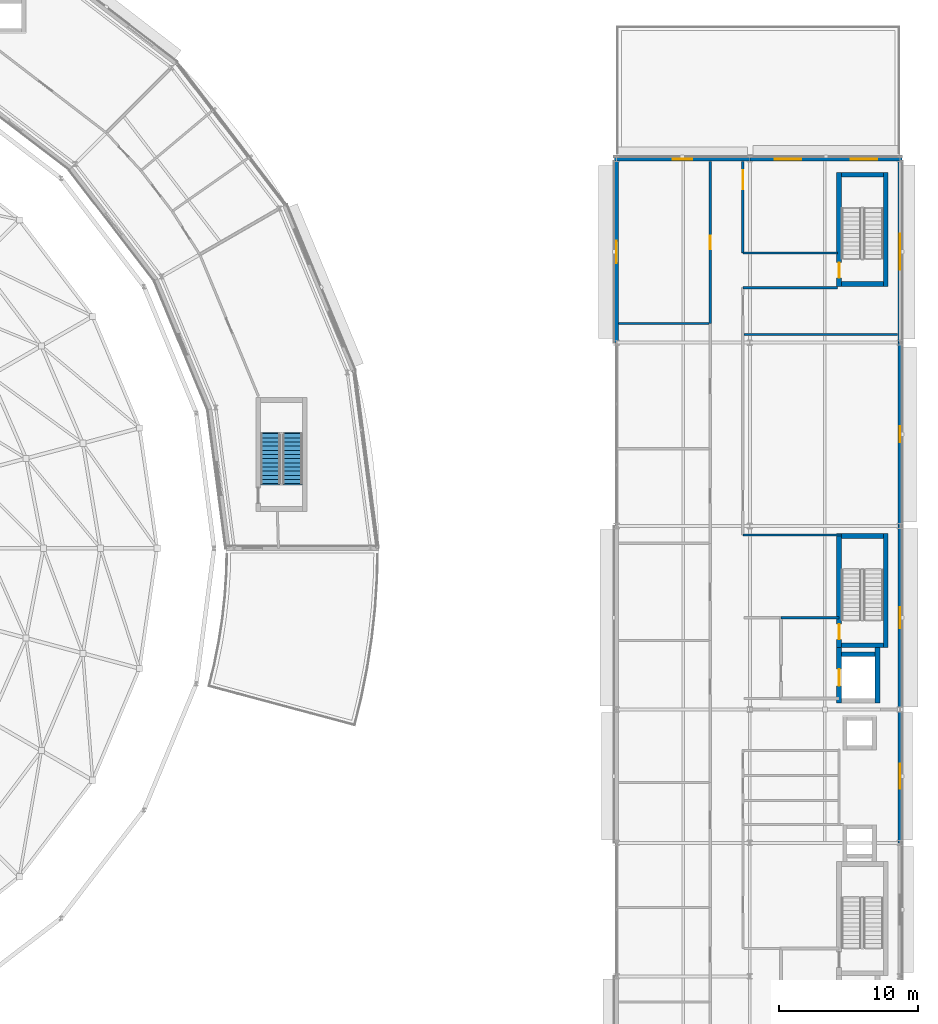
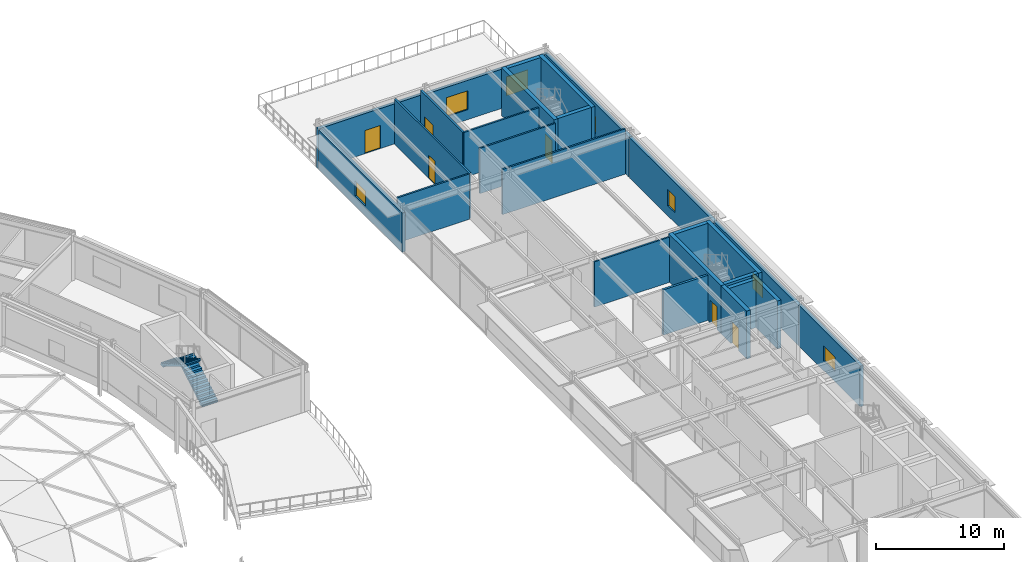
# One storey, part 68 of 89: 26 walls, 7 windows, 6 doors, 2 stair flights, 13 openings, 1 element without a shape of its own.
"""IFC4 building model written with IfcOpenShell, lengths in metres."""

from ifc_helpers import new_model, si_unit, direction, frame, frame_2d, origin, place, context, subcontext, project, spatial, polyline, rectangle, outline, extrude, material, layer, layer_set, type_object, element, fill, aggregate, save


model = new_model("IFC4")

# Units and contexts
model_context = context("Model", 3, precision=1e-05, world=origin(), true_north=direction((0.0, 1.0)))
body_context = subcontext(model_context, "Body", "Model", "MODEL_VIEW")
ifc_project = project(units=[si_unit("LENGTHUNIT", "METRE"), si_unit("AREAUNIT", "SQUARE_METRE"), si_unit("VOLUMEUNIT", "CUBIC_METRE"), si_unit("PLANEANGLEUNIT", "RADIAN"), si_unit("MASSUNIT", "GRAM", prefix="KILO")], contexts=[model_context])

# Site, building, storey
site_placement = place(None, origin())
site = spatial("IfcSite", under=ifc_project, at=site_placement, CompositionType="ELEMENT")
building_placement = place(site_placement, origin())
building = spatial("IfcBuilding", under=site, at=building_placement, Name="Almandine Court Research Institute", CompositionType="ELEMENT")
storey_placement = place(building_placement, frame((0.0, 0.0, 18.89990234375)))
storey = spatial("IfcBuildingStorey", under=building, at=storey_placement, Name="L04", CompositionType="ELEMENT", Elevation=18.89990234375)

# Wall, opening, window
ifc_material_1 = material(Name="Insulated Ochre Terracotta Rainscreen Wall", Category="masonry")
ifc_layer_1 = layer(ifc_material_1, 0.2900390625)
ifc_layer_set_1 = layer_set([ifc_layer_1], Name="Insulated Ochre Terracotta Rainscreen Wall")
wall_type_1 = type_object("IfcWallType", Name="Wall-EXT-TERR-290", PredefinedType="SOLIDWALL", material=ifc_layer_set_1)
wall_1_placement = place(storey_placement, frame((153.60009765625, 70.803955078125, 0.0), z_axis=(0.0, 0.0, 1.0), x_axis=(0.0, 1.0, 0.0)))
wall_1 = element("IfcWall", 1, at=wall_1_placement, inside=storey, type_object=wall_type_1, Name="L04 Wet Lab West Facade Wall 7", PredefinedType="SOLIDWALL", context=body_context, shape_type="SweptSolid", body=[
    extrude(rectangle(XDim=13.047119140625, YDim=0.2900390625, at=frame_2d((6.5234375, 0.0))), origin(), (0.0, 0.0, 1.0), 3.7421875),
])
opening_1_placement = place(wall_1_placement, frame((5.722900390625, 0.0, 0.949951171875)))
opening_1 = element("IfcOpeningElement", 2, at=opening_1_placement, cuts=wall_1, Name="Opening WN-06", PredefinedType="OPENING", context=body_context, shape_type="SweptSolid", body=[
    extrude(rectangle(XDim=1.60009765625, YDim=1.39990234375, at=frame_2d((0.800048828125, 0.699951171875))), frame((0.0, 0.155029296875, 0.0), z_axis=(0.0, -1.0, 0.0), x_axis=(1.0, 0.0, 0.0)), (0.0, 0.0, 1.0), 0.31005859375),
])
ifc_material_2 = material(Name="Thermally Broken Low-E Double-Glazed Window", Category="glass")
window_type_1 = type_object("IfcWindowType", Name="Win-WN-06-1600x1400", PartitioningType="SINGLE_PANEL", PredefinedType="WINDOW", material=ifc_material_2)
window_1_placement = place(opening_1_placement, origin())
window_1 = element("IfcWindow", 3, at=window_1_placement, inside=storey, type_object=window_type_1, Name="L04 Modular Recessed Low-E Window 133", OverallHeight=1.39990234375, OverallWidth=1.60009765625, PartitioningType="SINGLE_PANEL", PredefinedType="WINDOW", context=body_context, shape_type="SweptSolid", body=[
    extrude(rectangle(XDim=1.60009765625, YDim=1.39990234375, at=frame_2d((0.800048828125, 0.699951171875))), frame((0.0, 0.030029296875, 0.0), z_axis=(0.0, -1.0, 0.0), x_axis=(1.0, 0.0, 0.0)), (0.0, 0.0, 1.0), 0.06005859375),
])
fill(opening_1, window_1)

# Wall, opening, door
wall_2_placement = place(storey_placement, frame((153.455078125, 84.0, 0.0), z_axis=(0.0, 0.0, 1.0), x_axis=(1.0, 0.0, 0.0)))
wall_2 = element("IfcWall", 4, at=wall_2_placement, inside=storey, type_object=wall_type_1, Name="L04 Wet Lab North Wall 1", PredefinedType="SOLIDWALL", context=body_context, shape_type="SweptSolid", body=[
    extrude(rectangle(XDim=9.740966796875, YDim=0.2900390625, at=frame_2d((4.87060546875, 0.0))), origin(), (0.0, 0.0, 1.0), 3.81005859375),
])
opening_2_placement = place(wall_2_placement, frame((4.199951171875, 0.0, 0.0)))
opening_2 = element("IfcOpeningElement", 5, at=opening_2_placement, cuts=wall_2, Name="Opening TD-01", PredefinedType="OPENING", context=body_context, shape_type="SweptSolid", body=[
    extrude(rectangle(XDim=1.39990234375, YDim=2.199951171875, at=frame_2d((0.699951171875, 1.10009765625))), frame((0.0, 0.155029296875, 0.0), z_axis=(0.0, -1.0, 0.0), x_axis=(1.0, 0.0, 0.0)), (0.0, 0.0, 1.0), 0.31005859375),
])
ifc_material_3 = material(Name="Thermally Broken Glazed Terrace Door")
door_type_1 = type_object("IfcDoorType", Name="Door-TER-1400", OperationType="DOUBLE_DOOR_SINGLE_SWING", PredefinedType="DOOR", material=ifc_material_3)
door_1_placement = place(opening_2_placement, origin())
door_1 = element("IfcDoor", 6, at=door_1_placement, inside=storey, type_object=door_type_1, Name="L04 Wet Lab North Roof Garden Door", OperationType="DOUBLE_DOOR_SINGLE_SWING", OverallHeight=2.199951171875, OverallWidth=1.39990234375, PredefinedType="DOOR", context=body_context, shape_type="SweptSolid", body=[
    extrude(rectangle(XDim=1.39990234375, YDim=2.199951171875, at=frame_2d((0.699951171875, 1.10009765625))), frame((0.0, 0.02490234375, 0.0), z_axis=(0.0, -1.0, 0.0), x_axis=(1.0, 0.0, 0.0)), (0.0, 0.0, 1.0), 0.050048828125),
])
fill(opening_2, door_1)

# Wall, openings, windows
wall_3_placement = place(storey_placement, frame((163.2041015625, 84.0, 0.0), z_axis=(0.0, 0.0, 1.0), x_axis=(1.0, 0.0, 0.0)))
wall_3 = element("IfcWall", 7, at=wall_3_placement, inside=storey, type_object=wall_type_1, Name="L04 Wet Lab North Wall 2", PredefinedType="SOLIDWALL", context=body_context, shape_type="SweptSolid", body=[
    extrude(rectangle(XDim=10.94091796875, YDim=0.2900390625, at=frame_2d((5.470458984375, 0.0))), origin(), (0.0, 0.0, 1.0), 3.734130859375),
])
opening_3_placement = place(wall_3_placement, frame((1.77001953125, 0.0, 0.949951171875)))
opening_3 = element("IfcOpeningElement", 8, at=opening_3_placement, cuts=wall_3, Name="Opening WN-82", PredefinedType="OPENING", context=body_context, shape_type="SweptSolid", body=[
    extrude(rectangle(XDim=1.929931640625, YDim=1.800048828125, at=frame_2d((0.96484375, 0.89990234375))), frame((0.0, 0.155029296875, 0.0), z_axis=(0.0, -1.0, 0.0), x_axis=(1.0, 0.0, 0.0)), (0.0, 0.0, 1.0), 0.31005859375),
])
opening_4_placement = place(wall_3_placement, frame((7.240966796875, 0.0, 0.949951171875)))
opening_4 = element("IfcOpeningElement", 9, at=opening_4_placement, cuts=wall_3, Name="Opening WN-82", PredefinedType="OPENING", context=body_context, shape_type="SweptSolid", body=[
    extrude(rectangle(XDim=1.929931640625, YDim=1.800048828125, at=frame_2d((0.96484375, 0.89990234375))), frame((0.0, 0.155029296875, 0.0), z_axis=(0.0, -1.0, 0.0), x_axis=(1.0, 0.0, 0.0)), (0.0, 0.0, 1.0), 0.31005859375),
])
window_type_2 = type_object("IfcWindowType", Name="Win-WN-82-1930x1800", PartitioningType="SINGLE_PANEL", PredefinedType="WINDOW", material=ifc_material_2)
window_2_placement = place(opening_3_placement, origin())
window_2 = element("IfcWindow", 10, at=window_2_placement, inside=storey, type_object=window_type_2, Name="L04 Modular Recessed Low-E Window 134", OverallHeight=1.800048828125, OverallWidth=1.929931640625, PartitioningType="SINGLE_PANEL", PredefinedType="WINDOW", context=body_context, shape_type="SweptSolid", body=[
    extrude(rectangle(XDim=1.929931640625, YDim=1.800048828125, at=frame_2d((0.96484375, 0.89990234375))), frame((0.0, 0.030029296875, 0.0), z_axis=(0.0, -1.0, 0.0), x_axis=(1.0, 0.0, 0.0)), (0.0, 0.0, 1.0), 0.06005859375),
])
fill(opening_3, window_2)
window_3_placement = place(opening_4_placement, origin())
window_3 = element("IfcWindow", 11, at=window_3_placement, inside=storey, type_object=window_type_2, Name="L04 Modular Recessed Low-E Window 135", OverallHeight=1.800048828125, OverallWidth=1.929931640625, PartitioningType="SINGLE_PANEL", PredefinedType="WINDOW", context=body_context, shape_type="SweptSolid", body=[
    extrude(rectangle(XDim=1.929931640625, YDim=1.800048828125, at=frame_2d((0.96484375, 0.89990234375))), frame((0.0, 0.030029296875, 0.0), z_axis=(0.0, -1.0, 0.0), x_axis=(1.0, 0.0, 0.0)), (0.0, 0.0, 1.0), 0.06005859375),
])
fill(opening_4, window_3)

# Wall, opening, window
wall_4_placement = place(storey_placement, frame((174.0, 83.85107421875, 0.0), z_axis=(0.0, 0.0, 1.0), x_axis=(0.0, -1.0, 0.0)))
wall_4 = element("IfcWall", 12, at=wall_4_placement, inside=storey, type_object=wall_type_1, Name="L04 Wet Lab East Facade Wall 7", PredefinedType="SOLIDWALL", context=body_context, shape_type="SweptSolid", body=[
    extrude(rectangle(XDim=13.047119140625, YDim=0.2900390625, at=frame_2d((6.5234375, 0.0))), origin(), (0.0, 0.0, 1.0), 3.816162109375),
])
opening_5_placement = place(wall_4_placement, frame((5.22802734375, 0.0, 0.949951171875)))
opening_5 = element("IfcOpeningElement", 13, at=opening_5_placement, cuts=wall_4, Name="Opening WN-72", PredefinedType="OPENING", context=body_context, shape_type="SweptSolid", body=[
    extrude(rectangle(XDim=2.590087890625, YDim=1.639892578125, at=frame_2d((1.294921875, 0.81982421875))), frame((0.0, 0.155029296875, 0.0), z_axis=(0.0, -1.0, 0.0), x_axis=(1.0, 0.0, 0.0)), (0.0, 0.0, 1.0), 0.31005859375),
])
window_type_3 = type_object("IfcWindowType", Name="Win-WN-72-2590x1640", PartitioningType="SINGLE_PANEL", PredefinedType="WINDOW", material=ifc_material_2)
window_4_placement = place(opening_5_placement, origin())
window_4 = element("IfcWindow", 14, at=window_4_placement, inside=storey, type_object=window_type_3, Name="L04 Modular Recessed Low-E Window 136", OverallHeight=1.639892578125, OverallWidth=2.590087890625, PartitioningType="SINGLE_PANEL", PredefinedType="WINDOW", context=body_context, shape_type="SweptSolid", body=[
    extrude(rectangle(XDim=2.590087890625, YDim=1.639892578125, at=frame_2d((1.294921875, 0.81982421875))), frame((0.0, 0.030029296875, 0.0), z_axis=(0.0, -1.0, 0.0), x_axis=(1.0, 0.0, 0.0)), (0.0, 0.0, 1.0), 0.06005859375),
])
fill(opening_5, window_4)

wall_5_placement = place(storey_placement, frame((174.0, 70.7958984375, 0.0), z_axis=(0.0, 0.0, 1.0), x_axis=(0.0, -1.0, 0.0)))
wall_5 = element("IfcWall", 15, at=wall_5_placement, inside=storey, type_object=wall_type_1, Name="L04 Wet Lab East Facade Wall 6", PredefinedType="SOLIDWALL", context=body_context, shape_type="SweptSolid", body=[
    extrude(rectangle(XDim=13.19189453125, YDim=0.2900390625, at=frame_2d((6.595947265625, 0.0))), origin(), (0.0, 0.0, 1.0), 3.816162109375),
])
opening_6_placement = place(wall_5_placement, frame((6.01611328125, 0.0, 0.949951171875)))
opening_6 = element("IfcOpeningElement", 16, at=opening_6_placement, cuts=wall_5, Name="Opening WN-08", PredefinedType="OPENING", context=body_context, shape_type="SweptSolid", body=[
    extrude(rectangle(XDim=1.159912109375, YDim=1.56005859375, at=frame_2d((0.580078125, 0.780029296875))), frame((0.0, 0.155029296875, 0.0), z_axis=(0.0, -1.0, 0.0), x_axis=(1.0, 0.0, 0.0)), (0.0, 0.0, 1.0), 0.31005859375),
])
window_type_4 = type_object("IfcWindowType", Name="Win-WN-08-1160x1560", PartitioningType="SINGLE_PANEL", PredefinedType="WINDOW", material=ifc_material_2)
window_5_placement = place(opening_6_placement, origin())
window_5 = element("IfcWindow", 17, at=window_5_placement, inside=storey, type_object=window_type_4, Name="L04 Modular Recessed Low-E Window 137", OverallHeight=1.56005859375, OverallWidth=1.159912109375, PartitioningType="SINGLE_PANEL", PredefinedType="WINDOW", context=body_context, shape_type="SweptSolid", body=[
    extrude(rectangle(XDim=1.159912109375, YDim=1.56005859375, at=frame_2d((0.580078125, 0.780029296875))), frame((0.0, 0.030029296875, 0.0), z_axis=(0.0, -1.0, 0.0), x_axis=(1.0, 0.0, 0.0)), (0.0, 0.0, 1.0), 0.06005859375),
])
fill(opening_6, window_5)

wall_6_placement = place(storey_placement, frame((174.0, 57.595947265625, 0.0), z_axis=(0.0, 0.0, 1.0), x_axis=(0.0, -1.0, 0.0)))
wall_6 = element("IfcWall", 18, at=wall_6_placement, inside=storey, type_object=wall_type_1, Name="L04 Wet Lab East Facade Wall 5", PredefinedType="SOLIDWALL", context=body_context, shape_type="SweptSolid", body=[
    extrude(rectangle(XDim=13.19189453125, YDim=0.2900390625, at=frame_2d((6.595947265625, 0.0))), origin(), (0.0, 0.0, 1.0), 3.816162109375),
])
opening_7_placement = place(wall_6_placement, frame((5.85107421875, 0.0, 0.949951171875)))
opening_7 = element("IfcOpeningElement", 19, at=opening_7_placement, cuts=wall_6, Name="Opening WN-73", PredefinedType="OPENING", context=body_context, shape_type="SweptSolid", body=[
    extrude(rectangle(XDim=1.489990234375, YDim=1.47998046875, at=frame_2d((0.7451171875, 0.739990234375))), frame((0.0, 0.155029296875, 0.0), z_axis=(0.0, -1.0, 0.0), x_axis=(1.0, 0.0, 0.0)), (0.0, 0.0, 1.0), 0.31005859375),
])
window_type_5 = type_object("IfcWindowType", Name="Win-WN-73-1490x1480", PartitioningType="SINGLE_PANEL", PredefinedType="WINDOW", material=ifc_material_2)
window_6_placement = place(opening_7_placement, origin())
window_6 = element("IfcWindow", 20, at=window_6_placement, inside=storey, type_object=window_type_5, Name="L04 Modular Recessed Low-E Window 138", OverallHeight=1.47998046875, OverallWidth=1.489990234375, PartitioningType="SINGLE_PANEL", PredefinedType="WINDOW", context=body_context, shape_type="SweptSolid", body=[
    extrude(rectangle(XDim=1.489990234375, YDim=1.47998046875, at=frame_2d((0.7451171875, 0.739990234375))), frame((0.0, 0.030029296875, 0.0), z_axis=(0.0, -1.0, 0.0), x_axis=(1.0, 0.0, 0.0)), (0.0, 0.0, 1.0), 0.06005859375),
])
fill(opening_7, window_6)

wall_7_placement = place(storey_placement, frame((174.0, 44.39599609375, 0.0), z_axis=(0.0, 0.0, 1.0), x_axis=(0.0, -1.0, 0.0)))
wall_7 = element("IfcWall", 21, at=wall_7_placement, inside=storey, type_object=wall_type_1, Name="L04 Wet Lab East Facade Wall 4", PredefinedType="SOLIDWALL", context=body_context, shape_type="SweptSolid", body=[
    extrude(rectangle(XDim=9.592041015625, YDim=0.2900390625, at=frame_2d((4.7958984375, 0.0))), origin(), (0.0, 0.0, 1.0), 3.884033203125),
])
opening_8_placement = place(wall_7_placement, frame((3.885986328125, 0.0, 0.949951171875)))
opening_8 = element("IfcOpeningElement", 22, at=opening_8_placement, cuts=wall_7, Name="Opening WN-09", PredefinedType="OPENING", context=body_context, shape_type="SweptSolid", body=[
    extrude(rectangle(XDim=1.820068359375, YDim=1.39990234375, at=frame_2d((0.91015625, 0.699951171875))), frame((0.0, 0.155029296875, 0.0), z_axis=(0.0, -1.0, 0.0), x_axis=(1.0, 0.0, 0.0)), (0.0, 0.0, 1.0), 0.31005859375),
])
window_type_6 = type_object("IfcWindowType", Name="Win-WN-09-1820x1400", PartitioningType="SINGLE_PANEL", PredefinedType="WINDOW", material=ifc_material_2)
window_7_placement = place(opening_8_placement, origin())
window_7 = element("IfcWindow", 23, at=window_7_placement, inside=storey, type_object=window_type_6, Name="L04 Modular Recessed Low-E Window 139", OverallHeight=1.39990234375, OverallWidth=1.820068359375, PartitioningType="SINGLE_PANEL", PredefinedType="WINDOW", context=body_context, shape_type="SweptSolid", body=[
    extrude(rectangle(XDim=1.820068359375, YDim=1.39990234375, at=frame_2d((0.91015625, 0.699951171875))), frame((0.0, 0.030029296875, 0.0), z_axis=(0.0, -1.0, 0.0), x_axis=(1.0, 0.0, 0.0)), (0.0, 0.0, 1.0), 0.06005859375),
])
fill(opening_8, window_7)

# Wall, opening, door
ifc_material_4 = material(Name="One-Hour Fire-Rated Laboratory Partition")
ifc_layer_2 = layer(ifc_material_4, 0.175048828125)
ifc_layer_set_2 = layer_set([ifc_layer_2], Name="One-Hour Fire-Rated Laboratory Partition")
wall_type_2 = type_object("IfcWallType", Name="Wall-FIRE-175", PredefinedType="PARTITIONING", material=ifc_layer_set_2)
wall_8_placement = place(storey_placement, frame((162.699951171875, 77.25, 0.0), z_axis=(0.0, 0.0, 1.0), x_axis=(0.0, 1.0, 0.0)))
wall_8 = element("IfcWall", 24, at=wall_8_placement, inside=storey, type_object=wall_type_2, Name="L04 Interior Partition W-V4-L04-EW-N2", PredefinedType="PARTITIONING", context=body_context, shape_type="SweptSolid", body=[
    extrude(rectangle(XDim=6.590087890625, YDim=0.175048828125, at=frame_2d((3.294921875, 0.0))), origin(), (0.0, 0.0, 1.0), 4.300048828125),
])
opening_9_placement = place(wall_8_placement, frame((4.590087890625, 0.0, 0.0)))
opening_9 = element("IfcOpeningElement", 25, at=opening_9_placement, cuts=wall_8, Name="Opening FD-LB2", PredefinedType="OPENING", context=body_context, shape_type="SweptSolid", body=[
    extrude(rectangle(XDim=1.35009765625, YDim=2.199951171875, at=frame_2d((0.675048828125, 1.10009765625))), frame((0.0, 0.097412109375, 0.0), z_axis=(0.0, -1.0, 0.0), x_axis=(1.0, 0.0, 0.0)), (0.0, 0.0, 1.0), 0.195068359375),
])
ifc_material_5 = material(Name="Wide Fire-Rated Cleanroom and Lab Door")
door_type_2 = type_object("IfcDoorType", Name="Door-FD-LAB-1350", OperationType="NOTDEFINED", PredefinedType="DOOR", material=ifc_material_5)
door_2_placement = place(opening_9_placement, origin())
door_2 = element("IfcDoor", 26, at=door_2_placement, inside=storey, type_object=door_type_2, Name="L04 East BSL-2 Lab Door", OperationType="SINGLE_SWING_LEFT", OverallHeight=2.199951171875, OverallWidth=1.35009765625, PredefinedType="DOOR", context=body_context, shape_type="SweptSolid", body=[
    extrude(rectangle(XDim=1.35009765625, YDim=2.199951171875, at=frame_2d((0.675048828125, 1.10009765625))), frame((0.0, 0.02490234375, 0.0), z_axis=(0.0, -1.0, 0.0), x_axis=(1.0, 0.0, 0.0)), (0.0, 0.0, 1.0), 0.050048828125),
])
fill(opening_9, door_2)

# Walls
ifc_material_6 = material(Name="Two-Hour Fire-Barrier Enclosure Wall")
ifc_layer_3 = layer(ifc_material_6, 0.199951171875)
ifc_layer_set_3 = layer_set([ifc_layer_3], Name="Two-Hour Fire-Barrier Enclosure Wall")
wall_type_3 = type_object("IfcWallType", Name="Wall-FIRE-200", PredefinedType="SOLIDWALL", material=ifc_layer_set_3)
wall_9_placement = place(storey_placement, frame((165.449951171875, 51.0, 0.0), z_axis=(0.0, 0.0, 1.0), x_axis=(1.0, 0.0, 0.0)))
element("IfcWall", 27, at=wall_9_placement, inside=storey, type_object=wall_type_3, Name="L04 Interior Partition W-FFL2-L04-N", PredefinedType="SOLIDWALL", context=body_context, shape_type="SweptSolid", body=[
    extrude(rectangle(XDim=4.150146484375, YDim=0.199951171875, at=frame_2d((2.0751953125, 0.0))), origin(), (0.0, 0.0, 1.0), 4.300048828125),
])
ifc_material_7 = material(Name="Acoustic Steel-Stud Gypsum Partition Wall", Category="steel")
ifc_layer_4 = layer(ifc_material_7, 0.14990234375)
ifc_layer_set_4 = layer_set([ifc_layer_4], Name="Acoustic Steel-Stud Gypsum Partition Wall")
wall_type_4 = type_object("IfcWallType", Name="Wall-PART-150", PredefinedType="PARTITIONING", material=ifc_layer_set_4)
wall_10_placement = place(storey_placement, frame((153.760009765625, 72.159912109375, 0.0), z_axis=(0.0, 0.0, 1.0), x_axis=(1.0, 0.0, 0.0)))
element("IfcWall", 28, at=wall_10_placement, inside=storey, type_object=wall_type_4, Name="L04 Interior Partition W-V4-L04-WDIV-7", PredefinedType="PARTITIONING", context=body_context, shape_type="SweptSolid", body=[
    extrude(rectangle(XDim=6.510009765625, YDim=0.14990234375, at=frame_2d((3.2548828125, 0.0))), origin(), (0.0, 0.0, 1.0), 4.300048828125),
])

# Wall, opening, door
wall_11_placement = place(storey_placement, frame((160.35009765625, 72.159912109375, 0.0), z_axis=(0.0, 0.0, 1.0), x_axis=(0.0, 1.0, 0.0)))
wall_11 = element("IfcWall", 29, at=wall_11_placement, inside=storey, type_object=wall_type_4, Name="L04 Interior Partition W-V4-L04-WW-8", PredefinedType="PARTITIONING", context=body_context, shape_type="SweptSolid", body=[
    extrude(rectangle(XDim=11.68017578125, YDim=0.14990234375, at=frame_2d((5.840087890625, 0.0))), origin(), (0.0, 0.0, 1.0), 4.300048828125),
])
opening_10_placement = place(wall_11_placement, frame((5.340087890625, 0.0, 0.0)))
opening_10 = element("IfcOpeningElement", 30, at=opening_10_placement, cuts=wall_11, Name="Opening D-02", PredefinedType="OPENING", context=body_context, shape_type="SweptSolid", body=[
    extrude(rectangle(XDim=1.0, YDim=2.199951171875, at=frame_2d((0.5, 1.10009765625))), frame((0.0, 0.0849609375, 0.0), z_axis=(0.0, -1.0, 0.0), x_axis=(1.0, 0.0, 0.0)), (0.0, 0.0, 1.0), 0.169921875),
])
ifc_material_8 = material(Name="Solid-Core Timber Researcher Office Door", Category="wood")
door_type_3 = type_object("IfcDoorType", Name="Door-INT-1000", OperationType="NOTDEFINED", PredefinedType="DOOR", material=ifc_material_8)
door_3_placement = place(opening_10_placement, origin())
door_3 = element("IfcDoor", 31, at=door_3_placement, inside=storey, type_object=door_type_3, Name="L04 Write-up Office Door", OperationType="SINGLE_SWING_RIGHT", OverallHeight=2.199951171875, OverallWidth=1.0, PredefinedType="DOOR", context=body_context, shape_type="SweptSolid", body=[
    extrude(rectangle(XDim=1.0, YDim=2.199951171875, at=frame_2d((0.5, 1.10009765625))), frame((0.0, 0.02490234375, 0.0), z_axis=(0.0, -1.0, 0.0), x_axis=(1.0, 0.0, 0.0)), (0.0, 0.0, 1.0), 0.050048828125),
])
fill(opening_10, door_3)

# Walls
wall_12_placement = place(storey_placement, frame((162.699951171875, 56.949951171875, 0.0), z_axis=(0.0, 0.0, 1.0), x_axis=(1.0, 0.0, 0.0)))
element("IfcWall", 32, at=wall_12_placement, inside=storey, type_object=wall_type_4, Name="L04 Interior Partition W-V4-L04-ES-N1", PredefinedType="PARTITIONING", context=body_context, shape_type="SweptSolid", body=[
    extrude(rectangle(XDim=7.10009765625, YDim=0.14990234375, at=frame_2d((3.550048828125, 0.0))), origin(), (0.0, 0.0, 1.0), 4.300048828125),
])
for number, where, z_axis, x_axis, name in (
    (33, (162.699951171875, 74.75, 0.0), (0.0, 0.0, 1.0), (1.0, 0.0, 0.0), "L04 Interior Partition W-V4-L04-ST13S"),
    (34, (162.699951171875, 77.25, 0.0), (0.0, 0.0, 1.0), (1.0, 0.0, 0.0), "L04 Interior Partition W-V4-L04-ST13N"),
):
    element("IfcWall", number, at=place(storey_placement, frame(where, z_axis=z_axis, x_axis=x_axis)), inside=storey, type_object=wall_type_4, Name=name, PredefinedType="PARTITIONING", context=body_context, shape_type="SweptSolid", body=[
        extrude(rectangle(XDim=6.800048828125, YDim=0.14990234375, at=frame_2d((3.39990234375, 0.0))), origin(), (0.0, 0.0, 1.0), 4.300048828125),
    ])
wall_13_placement = place(storey_placement, frame((162.7900390625, 71.39501953125, 0.0), z_axis=(0.0, 0.0, 1.0), x_axis=(1.0, 0.0, 0.0)))
element("IfcWall", 35, at=wall_13_placement, inside=storey, type_object=wall_type_4, Name="L04 Interior Partition W-V4-L04-EDIV-N", PredefinedType="PARTITIONING", context=body_context, shape_type="SweptSolid", body=[
    extrude(rectangle(XDim=11.050048828125, YDim=0.14990234375, at=frame_2d((5.52490234375, 0.0))), origin(), (0.0, 0.0, 1.0), 4.300048828125),
])

# Wall, opening, door
ifc_material_9 = material(Name="Concrete C40/50", Category="concrete")
ifc_layer_5 = layer(ifc_material_9, 0.35009765625)
ifc_layer_set_5 = layer_set([ifc_layer_5], Name="Concrete C40/50")
wall_type_5 = type_object("IfcWallType", Name="Wall-SW-CORE-350", PredefinedType="SHEAR", material=ifc_layer_set_5)
wall_14_placement = place(storey_placement, frame((169.625, 48.85009765625, 0.0), z_axis=(0.0, 0.0, 1.0), x_axis=(0.0, 1.0, 0.0)))
wall_14 = element("IfcWall", 36, at=wall_14_placement, inside=storey, type_object=wall_type_5, Name="L04 ST-08 W Shear Wall", PredefinedType="SHEAR", context=body_context, shape_type="SweptSolid", body=[
    extrude(rectangle(XDim=8.199951171875, YDim=0.35009765625, at=frame_2d((4.10009765625, 0.0))), origin(), (0.0, 0.0, 1.0), 4.550048828125),
])
opening_11_placement = place(wall_14_placement, frame((0.60009765625, 0.0, 0.0)))
opening_11 = element("IfcOpeningElement", 37, at=opening_11_placement, cuts=wall_14, Name="Opening FD-STAIR", PredefinedType="OPENING", context=body_context, shape_type="SweptSolid", body=[
    extrude(rectangle(XDim=1.10009765625, YDim=2.14990234375, at=frame_2d((0.550048828125, 1.074951171875))), frame((0.0, 0.18505859375, 0.0), z_axis=(0.0, -1.0, 0.0), x_axis=(1.0, 0.0, 0.0)), (0.0, 0.0, 1.0), 0.3701171875),
])
ifc_material_10 = material(Name="Self-Closing Steel Exit Stair Fire Door", Category="steel")
door_type_4 = type_object("IfcDoorType", Name="Door-FD-STAIR-1100", OperationType="NOTDEFINED", PredefinedType="DOOR", material=ifc_material_10)
door_4_placement = place(opening_11_placement, origin())
door_4 = element("IfcDoor", 38, at=door_4_placement, inside=storey, type_object=door_type_4, Name="L04 Exit Stair ST-08 Fire Door", OperationType="SINGLE_SWING_LEFT", OverallHeight=2.14990234375, OverallWidth=1.10009765625, PredefinedType="DOOR", context=body_context, shape_type="SweptSolid", body=[
    extrude(rectangle(XDim=1.10009765625, YDim=2.14990234375, at=frame_2d((0.550048828125, 1.074951171875))), frame((0.0, 0.02490234375, 0.0), z_axis=(0.0, -1.0, 0.0), x_axis=(1.0, 0.0, 0.0)), (0.0, 0.0, 1.0), 0.050048828125),
])
fill(opening_11, door_4)

# Walls
wall_15_placement = place(storey_placement, frame((169.800048828125, 56.875, 0.0), z_axis=(0.0, 0.0, 1.0), x_axis=(1.0, 0.0, 0.0)))
element("IfcWall", 39, at=wall_15_placement, inside=storey, type_object=wall_type_5, Name="L04 ST-08 N Shear Wall", PredefinedType="SHEAR", context=body_context, shape_type="SweptSolid", body=[
    extrude(rectangle(XDim=3.0, YDim=0.35009765625, at=frame_2d((1.5, 0.0))), origin(), (0.0, 0.0, 1.0), 4.550048828125),
])
wall_16_placement = place(storey_placement, frame((172.97509765625, 57.050048828125, 0.0), z_axis=(0.0, 0.0, 1.0), x_axis=(0.0, -1.0, 0.0)))
element("IfcWall", 40, at=wall_16_placement, inside=storey, type_object=wall_type_5, Name="L04 ST-08 E Shear Wall", PredefinedType="SHEAR", context=body_context, shape_type="SweptSolid", body=[
    extrude(rectangle(XDim=8.199951171875, YDim=0.35009765625, at=frame_2d((4.10009765625, 0.0))), origin(), (0.0, 0.0, 1.0), 4.550048828125),
])
wall_17_placement = place(storey_placement, frame((172.800048828125, 49.02490234375, 0.0), z_axis=(0.0, 0.0, 1.0), x_axis=(-1.0, 0.0, 0.0)))
element("IfcWall", 41, at=wall_17_placement, inside=storey, type_object=wall_type_5, Name="L04 ST-08 S Shear Wall", PredefinedType="SHEAR", context=body_context, shape_type="SweptSolid", body=[
    extrude(rectangle(XDim=3.0, YDim=0.35009765625, at=frame_2d((1.5, 0.0))), origin(), (0.0, 0.0, 1.0), 4.550048828125),
])

# Wall, opening, door
wall_18_placement = place(storey_placement, frame((169.625, 74.85009765625, 0.0), z_axis=(0.0, 0.0, 1.0), x_axis=(0.0, 1.0, 0.0)))
wall_18 = element("IfcWall", 42, at=wall_18_placement, inside=storey, type_object=wall_type_5, Name="L04 ST-13 W Shear Wall", PredefinedType="SHEAR", context=body_context, shape_type="SweptSolid", body=[
    extrude(rectangle(XDim=8.199951171875, YDim=0.35009765625, at=frame_2d((4.10009765625, 0.0))), origin(), (0.0, 0.0, 1.0), 4.550048828125),
])
opening_12_placement = place(wall_18_placement, frame((0.60009765625, 0.0, 0.0)))
opening_12 = element("IfcOpeningElement", 43, at=opening_12_placement, cuts=wall_18, Name="Opening FD-STAIR", PredefinedType="OPENING", context=body_context, shape_type="SweptSolid", body=[
    extrude(rectangle(XDim=1.10009765625, YDim=2.14990234375, at=frame_2d((0.550048828125, 1.074951171875))), frame((0.0, 0.18505859375, 0.0), z_axis=(0.0, -1.0, 0.0), x_axis=(1.0, 0.0, 0.0)), (0.0, 0.0, 1.0), 0.3701171875),
])
door_5_placement = place(opening_12_placement, origin())
door_5 = element("IfcDoor", 44, at=door_5_placement, inside=storey, type_object=door_type_4, Name="L04 Exit Stair ST-13 Fire Door", OperationType="SINGLE_SWING_RIGHT", OverallHeight=2.14990234375, OverallWidth=1.10009765625, PredefinedType="DOOR", context=body_context, shape_type="SweptSolid", body=[
    extrude(rectangle(XDim=1.10009765625, YDim=2.14990234375, at=frame_2d((0.550048828125, 1.074951171875))), frame((0.0, 0.02490234375, 0.0), z_axis=(0.0, -1.0, 0.0), x_axis=(1.0, 0.0, 0.0)), (0.0, 0.0, 1.0), 0.050048828125),
])
fill(opening_12, door_5)

# Walls
wall_19_placement = place(storey_placement, frame((169.800048828125, 82.875, 0.0), z_axis=(0.0, 0.0, 1.0), x_axis=(1.0, 0.0, 0.0)))
element("IfcWall", 45, at=wall_19_placement, inside=storey, type_object=wall_type_5, Name="L04 ST-13 N Shear Wall", PredefinedType="SHEAR", context=body_context, shape_type="SweptSolid", body=[
    extrude(rectangle(XDim=3.0, YDim=0.35009765625, at=frame_2d((1.5, 0.0))), origin(), (0.0, 0.0, 1.0), 4.550048828125),
])
wall_20_placement = place(storey_placement, frame((172.97509765625, 83.050048828125, 0.0), z_axis=(0.0, 0.0, 1.0), x_axis=(0.0, -1.0, 0.0)))
element("IfcWall", 46, at=wall_20_placement, inside=storey, type_object=wall_type_5, Name="L04 ST-13 E Shear Wall", PredefinedType="SHEAR", context=body_context, shape_type="SweptSolid", body=[
    extrude(rectangle(XDim=8.199951171875, YDim=0.35009765625, at=frame_2d((4.10009765625, 0.0))), origin(), (0.0, 0.0, 1.0), 4.550048828125),
])
wall_21_placement = place(storey_placement, frame((172.800048828125, 75.02490234375, 0.0), z_axis=(0.0, 0.0, 1.0), x_axis=(-1.0, 0.0, 0.0)))
element("IfcWall", 47, at=wall_21_placement, inside=storey, type_object=wall_type_5, Name="L04 ST-13 S Shear Wall", PredefinedType="SHEAR", context=body_context, shape_type="SweptSolid", body=[
    extrude(rectangle(XDim=3.0, YDim=0.35009765625, at=frame_2d((1.5, 0.0))), origin(), (0.0, 0.0, 1.0), 4.550048828125),
])

# Wall, opening, door
wall_22_placement = place(storey_placement, frame((169.625, 44.85009765625, 0.0), z_axis=(0.0, 0.0, 1.0), x_axis=(0.0, 1.0, 0.0)))
wall_22 = element("IfcWall", 48, at=wall_22_placement, inside=storey, type_object=wall_type_5, Name="L04 FL-02 Hoistway W Shear Wall", PredefinedType="SHEAR", context=body_context, shape_type="SweptSolid", body=[
    extrude(rectangle(XDim=4.0, YDim=0.35009765625, at=frame_2d((2.0, 0.0))), origin(), (0.0, 0.0, 1.0), 4.550048828125),
])
opening_13_placement = place(wall_22_placement, frame((1.25, 0.0, 0.0)))
opening_13 = element("IfcOpeningElement", 49, at=opening_13_placement, cuts=wall_22, Name="Opening LD-02", PredefinedType="OPENING", context=body_context, shape_type="SweptSolid", body=[
    extrude(rectangle(XDim=1.199951171875, YDim=2.14990234375, at=frame_2d((0.60009765625, 1.074951171875))), frame((0.0, 0.18505859375, 0.0), z_axis=(0.0, -1.0, 0.0), x_axis=(1.0, 0.0, 0.0)), (0.0, 0.0, 1.0), 0.3701171875),
])
ifc_material_11 = material(Name="Firefighting Lift Landing Sliding Door")
door_type_5 = type_object("IfcDoorType", Name="Door-LD-FSAE-1200", OperationType="SLIDING_TO_LEFT", PredefinedType="USERDEFINED", material=ifc_material_11)
door_6_placement = place(opening_13_placement, origin())
door_6 = element("IfcDoor", 50, at=door_6_placement, inside=storey, type_object=door_type_5, Name="L04 Firefighting Lift FL-02 Sliding Landing Door", ObjectType="LANDING DOOR", OperationType="SLIDING_TO_LEFT", OverallHeight=2.14990234375, OverallWidth=1.199951171875, PredefinedType="USERDEFINED", context=body_context, shape_type="SweptSolid", body=[
    extrude(rectangle(XDim=1.199951171875, YDim=2.14990234375, at=frame_2d((0.60009765625, 1.074951171875))), frame((0.0, 0.02490234375, 0.0), z_axis=(0.0, -1.0, 0.0), x_axis=(1.0, 0.0, 0.0)), (0.0, 0.0, 1.0), 0.050048828125),
])
fill(opening_13, door_6)

# Walls
wall_23_placement = place(storey_placement, frame((169.800048828125, 48.375, 0.0), z_axis=(0.0, 0.0, 1.0), x_axis=(1.0, 0.0, 0.0)))
element("IfcWall", 51, at=wall_23_placement, inside=storey, type_object=wall_type_5, Name="L04 FL-02 Hoistway N Shear Wall", PredefinedType="SHEAR", context=body_context, shape_type="SweptSolid", body=[
    extrude(rectangle(XDim=2.39990234375, YDim=0.35009765625, at=frame_2d((1.199951171875, 0.0))), origin(), (0.0, 0.0, 1.0), 4.550048828125),
])
wall_24_placement = place(storey_placement, frame((172.375, 48.85009765625, 0.0), z_axis=(0.0, 0.0, 1.0), x_axis=(0.0, -1.0, 0.0)))
element("IfcWall", 52, at=wall_24_placement, inside=storey, type_object=wall_type_5, Name="L04 FL-02 Hoistway E Shear Wall", PredefinedType="SHEAR", context=body_context, shape_type="SweptSolid", body=[
    extrude(rectangle(XDim=4.0, YDim=0.35009765625, at=frame_2d((2.0, 0.0))), origin(), (0.0, 0.0, 1.0), 4.550048828125),
])

# Stair, stair flights
ifc_material_12 = material(Name="Concrete C35/45", Category="concrete")
stair_type = type_object("IfcStairType", Name="Stair-Core-26R", PredefinedType="HALF_TURN_STAIR", material=ifc_material_12)
stair_placement = place(storey_placement, origin())
stair = element("IfcStair", 53, at=stair_placement, inside=storey, type_object=stair_type, Name="L04 Drum East Exit Stair", PredefinedType="HALF_TURN_STAIR")
stair_flight_type = type_object("IfcStairFlightType", Name="Flight-Core-26R", PredefinedType="STRAIGHT", material=ifc_material_12)
stair_flight_1_placement = place(storey_placement, frame((130.2900390625, 60.64990234375, 0.0), z_axis=(0.0, 0.0, 1.0), x_axis=(0.0, 1.0, 0.0)))
stair_flight_1 = element("IfcStairFlight", 54, at=stair_flight_1_placement, type_object=stair_flight_type, Name="ST-14 flight 1", NumberOfRisers=13, NumberOfTreads=12, PredefinedType="STRAIGHT", RiserHeight=0.175, TreadLength=0.3, context=body_context, shape_type="SweptSolid", body=[
    extrude(outline(polyline([(-0.080078125, -0.139892578125), (-0.080078125, 0.0), (0.0, 0.0), (0.0, 0.175048828125), (0.300048828125, 0.175048828125), (0.300048828125, 0.35009765625), (0.60009765625, 0.35009765625), (0.60009765625, 0.52490234375), (0.89990234375, 0.52490234375), (0.89990234375, 0.699951171875), (1.199951171875, 0.699951171875), (1.199951171875, 0.875), (1.5, 0.875), (1.5, 1.050048828125), (1.800048828125, 1.050048828125), (1.800048828125, 1.22509765625), (2.10009765625, 1.22509765625), (2.10009765625, 1.39990234375), (2.39990234375, 1.39990234375), (2.39990234375, 1.574951171875), (2.699951171875, 1.574951171875), (2.699951171875, 1.75), (3.0, 1.75), (3.0, 1.925048828125), (3.300048828125, 1.925048828125), (3.300048828125, 2.10009765625), (3.60009765625, 2.10009765625), (3.60009765625, 2.27490234375), (3.679931640625, 2.27490234375), (3.679931640625, 2.114990234375), (3.60009765625, 1.914794921875), (0.3173828125, 0.0), (0.3173828125, -0.139892578125), (-0.080078125, -0.139892578125)])), frame((0.0, 0.7099609375, 0.0), z_axis=(0.0, -1.0, 0.0), x_axis=(1.0, 0.0, 0.0)), (0.0, 0.0, 1.0), 1.419921875),
])
stair_flight_2_placement = place(storey_placement, frame((128.7099609375, 64.25, 2.275146484375), z_axis=(0.0, 0.0, 1.0), x_axis=(0.0, -1.0, 0.0)))
stair_flight_2 = element("IfcStairFlight", 55, at=stair_flight_2_placement, type_object=stair_flight_type, Name="ST-14 flight 2", NumberOfRisers=13, NumberOfTreads=12, PredefinedType="STRAIGHT", RiserHeight=0.175, TreadLength=0.3, context=body_context, shape_type="SweptSolid", body=[
    extrude(outline(polyline([(-0.080078125, -0.139892578125), (-0.080078125, 0.0), (0.0, 0.0), (0.0, 0.175048828125), (0.300048828125, 0.175048828125), (0.300048828125, 0.35009765625), (0.60009765625, 0.35009765625), (0.60009765625, 0.52490234375), (0.89990234375, 0.52490234375), (0.89990234375, 0.699951171875), (1.199951171875, 0.699951171875), (1.199951171875, 0.875), (1.5, 0.875), (1.5, 1.050048828125), (1.800048828125, 1.050048828125), (1.800048828125, 1.22509765625), (2.10009765625, 1.22509765625), (2.10009765625, 1.39990234375), (2.39990234375, 1.39990234375), (2.39990234375, 1.574951171875), (2.699951171875, 1.574951171875), (2.699951171875, 1.75), (3.0, 1.75), (3.0, 1.925048828125), (3.300048828125, 1.925048828125), (3.300048828125, 2.10009765625), (3.60009765625, 2.10009765625), (3.60009765625, 2.27490234375), (3.679931640625, 2.27490234375), (3.679931640625, 2.114990234375), (3.60009765625, 1.914794921875), (0.3173828125, 0.0), (0.3173828125, -0.139892578125), (-0.080078125, -0.139892578125)])), frame((0.0, 0.7099609375, 0.0), z_axis=(0.0, -1.0, 0.0), x_axis=(1.0, 0.0, 0.0)), (0.0, 0.0, 1.0), 1.419921875),
])
aggregate(stair, [stair_flight_1, stair_flight_2])

save(model, "model.ifc")
